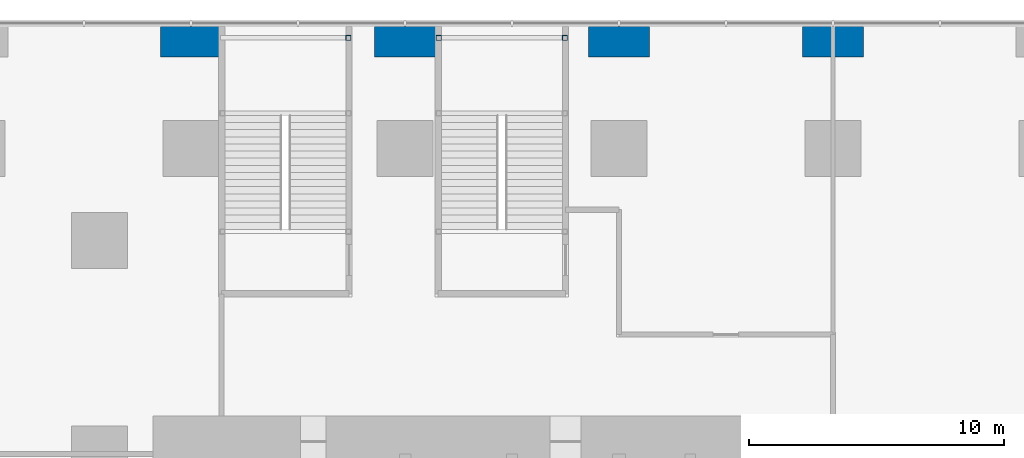
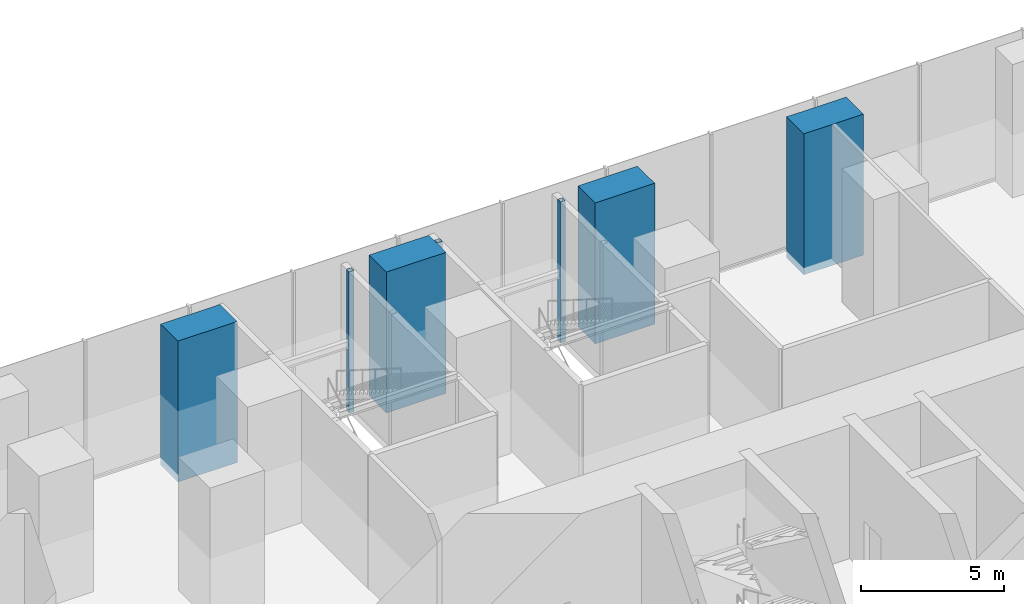
# One storey, part 13 of 32: 7 columns.
"""IFC4 building model written with IfcOpenShell, lengths in metres."""

from ifc_helpers import new_model, si_unit, direction, frame, origin, origin_2d, place, context, subcontext, project, spatial, rectangle, hollow_rectangle, extrude, material, material_profile, profile_set, type_object, element, save


model = new_model("IFC4")

# Units and contexts
model_context = context("Model", 3, precision=1e-05, world=origin(), true_north=direction((0.0, 1.0)))
body_context = subcontext(model_context, "Body", "Model", "MODEL_VIEW")
ifc_project = project(units=[si_unit("LENGTHUNIT", "METRE"), si_unit("AREAUNIT", "SQUARE_METRE"), si_unit("VOLUMEUNIT", "CUBIC_METRE"), si_unit("PLANEANGLEUNIT", "RADIAN"), si_unit("MASSUNIT", "GRAM", prefix="KILO")], contexts=[model_context])

# Site, building, storey
site_placement = place(None, origin())
site = spatial("IfcSite", under=ifc_project, at=site_placement, CompositionType="ELEMENT")
building_placement = place(site_placement, origin())
building = spatial("IfcBuilding", under=site, at=building_placement, Name="Dunama Terrace Hotel", CompositionType="ELEMENT")
storey_placement = place(building_placement, frame((0.0, 0.0, 6.0)))
storey = spatial("IfcBuildingStorey", under=building, at=storey_placement, Name="L01", CompositionType="ELEMENT", Elevation=6.0)

# Columns
ifc_material_1 = material(Name="Concrete C60/75", Category="concrete")
ifc_material_profile_1 = material_profile(ifc_material_1, rectangle(XDim=2.39990234375, YDim=1.199951171875, at=origin_2d()), Name="RC 2400x1200")
ifc_profile_set_1 = profile_set([ifc_material_profile_1], Name="Concrete C60/75")
column_type_1 = type_object("IfcColumnType", Name="Column RC 2400x1200", PredefinedType="COLUMN", material=ifc_profile_set_1)
for number, where, z_axis, x_axis, name in (
    (1, (16.800048828125, 58.199951171875, -0.300048828125), (0.0, 0.0, 1.0), (1.0, 0.0, 0.0), "Column L01 +16.8/+58.2"),
    (2, (25.199951171875, 58.199951171875, -0.300048828125), (0.0, 0.0, 1.0), (1.0, 0.0, 0.0), "Column L01 +25.2/+58.2"),
    (3, (33.60009765625, 58.199951171875, -0.300048828125), (0.0, 0.0, 1.0), (1.0, 0.0, 0.0), "Column L01 +33.6/+58.2"),
    (4, (42.0, 58.199951171875, -0.300048828125), (0.0, 0.0, 1.0), (1.0, 0.0, 0.0), "Column L01 +42.0/+58.2"),
):
    element("IfcColumn", number, at=place(storey_placement, frame(where, z_axis=z_axis, x_axis=x_axis)), inside=storey, type_object=column_type_1, Name=name, PredefinedType="COLUMN", context=body_context, shape_type="SweptSolid", body=[
        extrude(rectangle(XDim=2.39990234375, YDim=1.199951171875, at=origin_2d()), origin(), (0.0, 0.0, 1.0), 6.0),
    ])
ifc_material_2 = material(Name="Steel S355", Category="steel")
ifc_material_profile_2 = material_profile(ifc_material_2, hollow_rectangle(XDim=0.199951171875, YDim=0.199951171875, WallThickness=0.010009765625, at=origin_2d()), Name="SHS 200x200x10")
ifc_profile_set_2 = profile_set([ifc_material_profile_2], Name="Steel S355")
column_type_2 = type_object("IfcColumnType", Name="Stair post SHS 200x200x10", PredefinedType="COLUMN", material=ifc_profile_set_2)
for number, where, z_axis, x_axis, name in (
    (5, (22.97509765625, 58.35009765625, -0.300048828125), (0.0, 0.0, 1.0), (1.0, 0.0, 0.0), "Stair post P5 L01 +22.98/+58.35"),
    (6, (26.52490234375, 58.35009765625, -0.300048828125), (0.0, 0.0, 1.0), (1.0, 0.0, 0.0), "Stair post P6 L01 +26.52/+58.35"),
    (7, (31.47509765625, 58.35009765625, -0.300048828125), (0.0, 0.0, 1.0), (1.0, 0.0, 0.0), "Stair post P6 L01 +31.48/+58.35"),
):
    element("IfcColumn", number, at=place(storey_placement, frame(where, z_axis=z_axis, x_axis=x_axis)), inside=storey, type_object=column_type_2, Name=name, PredefinedType="COLUMN", context=body_context, shape_type="SweptSolid", body=[
        extrude(hollow_rectangle(XDim=0.199951171875, YDim=0.199951171875, WallThickness=0.010009765625, at=origin_2d()), origin(), (0.0, 0.0, 1.0), 6.0),
    ])

save(model, "model.ifc")
